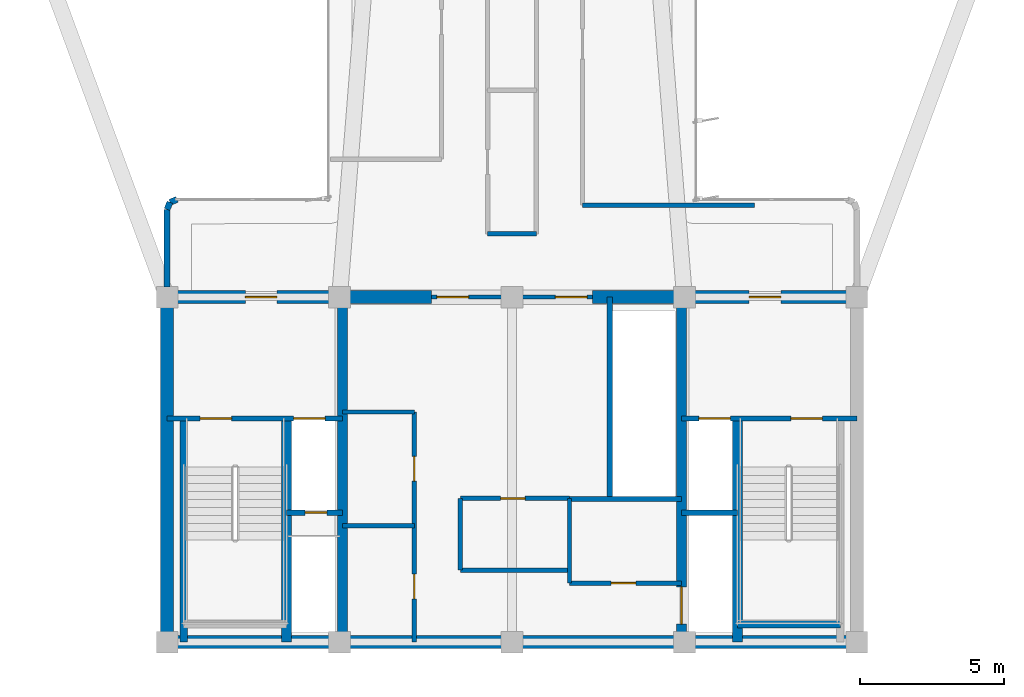
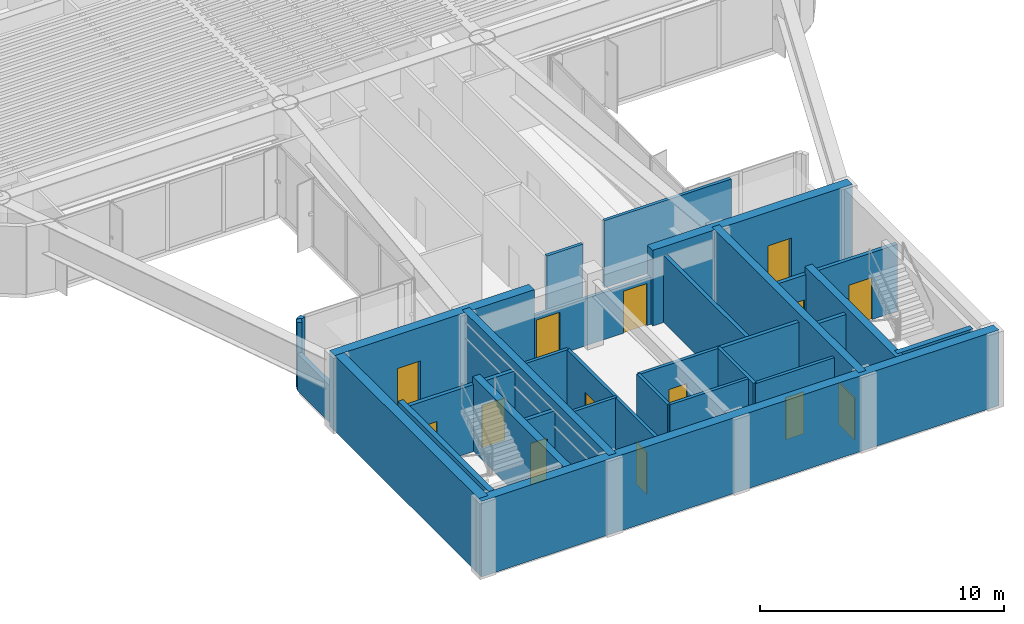
# One storey, part 8 of 13: 30 walls, 14 doors, 14 openings.
"""IFC4 building model written with IfcOpenShell, lengths in metres."""

from ifc_helpers import new_model, si_unit, direction, frame, frame_2d, origin, origin_2d, place, context, subcontext, project, spatial, rectangle, extrude, source, transform, mapped, material, layer, layer_set, type_object, element, fill, save


model = new_model("IFC4")

# Units and contexts
model_context = context("Model", 3, precision=1e-05, world=origin(), true_north=direction((0.0, 1.0)))
body_context = subcontext(model_context, "Body", "Model", "MODEL_VIEW")
ifc_project = project(units=[si_unit("LENGTHUNIT", "METRE"), si_unit("AREAUNIT", "SQUARE_METRE"), si_unit("VOLUMEUNIT", "CUBIC_METRE"), si_unit("PLANEANGLEUNIT", "RADIAN"), si_unit("MASSUNIT", "GRAM", prefix="KILO")], contexts=[model_context])

# Site, building, storey
site_placement = place(None, origin())
site = spatial("IfcSite", under=ifc_project, at=site_placement, CompositionType="ELEMENT")
building_placement = place(site_placement, origin())
building = spatial("IfcBuilding", under=site, at=building_placement, Name="Brelvock Crest Care Tower", CompositionType="ELEMENT")
storey_placement = place(building_placement, frame((0.0, 0.0, 209.340087890625)))
storey = spatial("IfcBuildingStorey", under=building, at=storey_placement, Name="L53", CompositionType="ELEMENT", Elevation=209.340087890625)

# Walls
ifc_material_1 = material(Name="Concrete S65 (65 MPa)", Category="concrete")
ifc_layer_1 = layer(ifc_material_1, 0.449951171875, Name="WL-CS3")
ifc_layer_set_1 = layer_set([ifc_layer_1], Name="Concrete S65 (65 MPa)")
wall_type_1 = type_object("IfcWallType", Name="WL-CS3", PredefinedType="SHEAR", material=ifc_layer_set_1)
wall_1_placement = place(storey_placement, frame((48.22509765625, 6.0, 0.0), z_axis=(0.0, 0.0, 1.0), x_axis=(-1.0, 0.0, 0.0)))
element("IfcWall", 1, at=wall_1_placement, inside=storey, type_object=wall_type_1, Name="L53 Core South Shear Wall", PredefinedType="SHEAR", context=body_context, shape_type="SweptSolid", body=[
    extrude(rectangle(XDim=24.4501953125, YDim=0.449951171875, at=frame_2d((12.22509765625, 0.0))), origin(), (0.0, 0.0, 1.0), 3.780029296875),
])
wall_2_placement = place(storey_placement, frame((24.0, 6.0, 0.0), z_axis=(0.0, 0.0, 1.0), x_axis=(0.0, 1.0, 0.0)))
element("IfcWall", 2, at=wall_2_placement, inside=storey, type_object=wall_type_1, Name="L53 Core West Shear Wall", PredefinedType="SHEAR", context=body_context, shape_type="SweptSolid", body=[
    extrude(rectangle(XDim=12.0, YDim=0.449951171875, at=frame_2d((6.0, 0.0))), origin(), (0.0, 0.0, 1.0), 3.780029296875),
])

# Wall, opening, door
wall_3_placement = place(storey_placement, frame((23.77490234375, 18.0, 0.0), z_axis=(0.0, 0.0, 1.0), x_axis=(1.0, 0.0, 0.0)))
wall_3 = element("IfcWall", 3, at=wall_3_placement, inside=storey, type_object=wall_type_1, Name="L53 Core North-West Shear Wall", PredefinedType="SHEAR", context=body_context, shape_type="SweptSolid", body=[
    extrude(rectangle(XDim=9.425048828125, YDim=0.449951171875, at=frame_2d((4.71240234375, 0.0))), origin(), (0.0, 0.0, 1.0), 3.780029296875),
])
opening_1_placement = place(wall_3_placement, frame((2.949951171875, 0.0, 0.0)))
opening_1 = element("IfcOpeningElement", 4, at=opening_1_placement, cuts=wall_3, Name="Opening FD-1", PredefinedType="OPENING", context=body_context, shape_type="SweptSolid", body=[
    extrude(rectangle(XDim=1.10009765625, YDim=2.10009765625, at=origin_2d()), frame((0.550048828125, 0.23486328125, 1.050048828125), z_axis=(0.0, -1.0, 0.0), x_axis=(1.0, 0.0, 0.0)), (0.0, 0.0, 1.0), 0.469970703125),
])
ifc_material_2 = material(Name="Steel Grade 350", Category="steel")
door_type_1 = type_object("IfcDoorType", Name="DR-FFL1", OperationType="NOTDEFINED", PredefinedType="DOOR", material=ifc_material_2)
shared_shape_1 = source(origin(), body_context, "Body", "SweptSolid", [
    extrude(rectangle(XDim=1.10009765625, YDim=2.10009765625, at=origin_2d()), frame((0.550048828125, 0.02490234375, 1.050048828125), z_axis=(0.0, -1.0, 0.0), x_axis=(1.0, 0.0, 0.0)), (0.0, 0.0, 1.0), 0.050048828125),
])
door_1_placement = place(opening_1_placement, origin())
door_1 = element("IfcDoor", 5, at=door_1_placement, inside=storey, type_object=door_type_1, Name="L53 Firefighting Lobby FFL-1 Exit Door", OperationType="SINGLE_SWING_LEFT", OverallHeight=2.10009765625, OverallWidth=1.10009765625, PredefinedType="DOOR", context=body_context, shape_type="MappedRepresentation", body=[
    mapped(shared_shape_1, transform((0.0, 0.0, 0.0), x_axis=(1.0, 0.0, 0.0), y_axis=(0.0, 1.0, 0.0), z_axis=(0.0, 0.0, 1.0), scale=1.0)),
])
fill(opening_1, door_1)

wall_4_placement = place(storey_placement, frame((38.800048828125, 18.0, 0.0), z_axis=(0.0, 0.0, 1.0), x_axis=(1.0, 0.0, 0.0)))
wall_4 = element("IfcWall", 6, at=wall_4_placement, inside=storey, type_object=wall_type_1, Name="L53 Core North-East Shear Wall", PredefinedType="SHEAR", context=body_context, shape_type="SweptSolid", body=[
    extrude(rectangle(XDim=9.425048828125, YDim=0.449951171875, at=frame_2d((4.71240234375, 0.0))), origin(), (0.0, 0.0, 1.0), 3.780029296875),
])
opening_2_placement = place(wall_4_placement, frame((5.449951171875, 0.0, 0.0)))
opening_2 = element("IfcOpeningElement", 7, at=opening_2_placement, cuts=wall_4, Name="Opening FD-1", PredefinedType="OPENING", context=body_context, shape_type="SweptSolid", body=[
    extrude(rectangle(XDim=1.10009765625, YDim=2.10009765625, at=origin_2d()), frame((0.550048828125, 0.23486328125, 1.050048828125), z_axis=(0.0, -1.0, 0.0), x_axis=(1.0, 0.0, 0.0)), (0.0, 0.0, 1.0), 0.469970703125),
])
door_2_placement = place(opening_2_placement, origin())
door_2 = element("IfcDoor", 8, at=door_2_placement, inside=storey, type_object=door_type_1, Name="L53 Firefighting Lobby FFL-2 Exit Door", OperationType="SINGLE_SWING_RIGHT", OverallHeight=2.10009765625, OverallWidth=1.10009765625, PredefinedType="DOOR", context=body_context, shape_type="MappedRepresentation", body=[
    mapped(shared_shape_1, transform((0.0, 0.0, 0.0), x_axis=(1.0, 0.0, 0.0), y_axis=(0.0, 1.0, 0.0), z_axis=(0.0, 0.0, 1.0), scale=1.0)),
])
fill(opening_2, door_2)

# Wall
ifc_material_3 = material(Name="Concrete S80 (80 MPa)", Category="concrete")
ifc_layer_2 = layer(ifc_material_3, 0.35009765625, Name="WL-CS5")
ifc_layer_set_2 = layer_set([ifc_layer_2], Name="Concrete S80 (80 MPa)")
wall_type_2 = type_object("IfcWallType", Name="WL-CS5", PredefinedType="SHEAR", material=ifc_layer_set_2)
wall_5_placement = place(storey_placement, frame((30.10009765625, 6.0, 0.0), z_axis=(0.0, 0.0, 1.0), x_axis=(0.0, 1.0, 0.0)))
element("IfcWall", 9, at=wall_5_placement, inside=storey, type_object=wall_type_2, Name="L53 Core Internal Web Wall West", PredefinedType="SHEAR", context=body_context, shape_type="SweptSolid", body=[
    extrude(rectangle(XDim=12.0, YDim=0.35009765625, at=frame_2d((6.0, 0.0))), origin(), (0.0, 0.0, 1.0), 3.780029296875),
])

# Wall, opening, door
wall_6_placement = place(storey_placement, frame((41.89990234375, 18.0, 0.0), z_axis=(0.0, 0.0, 1.0), x_axis=(0.0, -1.0, 0.0)))
wall_6 = element("IfcWall", 10, at=wall_6_placement, inside=storey, type_object=wall_type_2, Name="L53 Core Internal Web Wall East", PredefinedType="SHEAR", context=body_context, shape_type="SweptSolid", body=[
    extrude(rectangle(XDim=12.0, YDim=0.35009765625, at=frame_2d((6.0, 0.0))), origin(), (0.0, 0.0, 1.0), 3.780029296875),
])
opening_3_placement = place(wall_6_placement, frame((10.080078125, 0.0, 0.0)))
opening_3 = element("IfcOpeningElement", 11, at=opening_3_placement, cuts=wall_6, Name="Opening LD-S", PredefinedType="OPENING", context=body_context, shape_type="SweptSolid", body=[
    extrude(rectangle(XDim=1.300048828125, YDim=2.10009765625, at=origin_2d()), frame((0.64990234375, 0.18505859375, 1.050048828125), z_axis=(0.0, -1.0, 0.0), x_axis=(1.0, 0.0, 0.0)), (0.0, 0.0, 1.0), 0.3701171875),
])
door_type_2 = type_object("IfcDoorType", Name="DR-LDS1", OperationType="NOTDEFINED", PredefinedType="DOOR", material=ifc_material_2)
shared_shape_2 = source(origin(), body_context, "Body", "SweptSolid", [
    extrude(rectangle(XDim=1.300048828125, YDim=2.10009765625, at=origin_2d()), frame((0.64990234375, 0.02490234375, 1.050048828125), z_axis=(0.0, -1.0, 0.0), x_axis=(1.0, 0.0, 0.0)), (0.0, 0.0, 1.0), 0.050048828125),
])
door_3_placement = place(opening_3_placement, origin())
door_3 = element("IfcDoor", 12, at=door_3_placement, inside=storey, type_object=door_type_2, Name="L53 Clinical Bed Lift SL-1 Landing Door", OperationType="SLIDING_TO_LEFT", OverallHeight=2.10009765625, OverallWidth=1.300048828125, PredefinedType="DOOR", context=body_context, shape_type="MappedRepresentation", body=[
    mapped(shared_shape_2, transform((0.0, 0.0, 0.0), x_axis=(1.0, 0.0, 0.0), y_axis=(0.0, 1.0, 0.0), z_axis=(0.0, 0.0, 1.0), scale=1.0)),
])
fill(opening_3, door_3)

# Walls
for number, where, z_axis, x_axis, name in (
    (13, (28.14990234375, 6.0, 0.0), (0.0, 0.0, 1.0), (0.0, 1.0, 0.0), "L53 Core Stair ST-1 East Shear Wall"),
    (14, (43.85009765625, 6.0, 0.0), (0.0, 0.0, 1.0), (0.0, 1.0, 0.0), "L53 Core Stair ST-2 West Shear Wall"),
):
    element("IfcWall", number, at=place(storey_placement, frame(where, z_axis=z_axis, x_axis=x_axis)), inside=storey, type_object=wall_type_2, Name=name, PredefinedType="SHEAR", context=body_context, shape_type="SweptSolid", body=[
        extrude(rectangle(XDim=7.780029296875, YDim=0.35009765625, at=frame_2d((3.89013671875, 0.0))), origin(), (0.0, 0.0, 1.0), 3.69189453125),
    ])
ifc_layer_3 = layer(ifc_material_3, 0.25, Name="WL-CS6")
ifc_layer_set_3 = layer_set([ifc_layer_3], Name="Concrete S80 (80 MPa)")
wall_type_3 = type_object("IfcWallType", Name="WL-CS6", PredefinedType="SHEAR", material=ifc_layer_set_3)
wall_7_placement = place(storey_placement, frame((24.580078125, 6.0, 0.0), z_axis=(0.0, 0.0, 1.0), x_axis=(0.0, 1.0, 0.0)))
element("IfcWall", 15, at=wall_7_placement, inside=storey, type_object=wall_type_3, Name="L53 Core Stair ST-1 West Shear Wall", PredefinedType="SHEAR", context=body_context, shape_type="SweptSolid", body=[
    extrude(rectangle(XDim=7.780029296875, YDim=0.25, at=frame_2d((3.89013671875, 0.0))), origin(), (0.0, 0.0, 1.0), 3.69189453125),
])
wall_8_placement = place(storey_placement, frame((43.85009765625, 6.6201171875, 0.0), z_axis=(0.0, 0.0, 1.0), x_axis=(1.0, 0.0, 0.0)))
element("IfcWall", 16, at=wall_8_placement, inside=storey, type_object=wall_type_3, Name="L53 Core Stair ST-2 South Shear Wall", PredefinedType="SHEAR", context=body_context, shape_type="SweptSolid", body=[
    extrude(rectangle(XDim=3.56982421875, YDim=0.25, at=frame_2d((1.784912109375, 0.0))), origin(), (0.0, 0.0, 1.0), 3.69189453125),
])
ifc_material_4 = material(Name="Precast concrete N40 (40 MPa)", Category="concrete")
ifc_layer_4 = layer(ifc_material_4, 0.215087890625, Name="WL-EX2")
ifc_layer_set_4 = layer_set([ifc_layer_4], Name="Precast concrete N40 (40 MPa)")
wall_type_4 = type_object("IfcWallType", Name="WL-EX2", PredefinedType="SOLIDWALL", material=ifc_layer_set_4)
wall_9_placement = place(storey_placement, frame((24.0, 18.35498046875, 0.0), z_axis=(0.0, 0.0, 1.0), x_axis=(0.0, 1.0, 0.0)))
element("IfcWall", 17, at=wall_9_placement, inside=storey, type_object=wall_type_4, Name="L53 Rounded Corner Wall 07", PredefinedType="SOLIDWALL", context=body_context, shape_type="SweptSolid", body=[
    extrude(rectangle(XDim=2.695068359375, YDim=0.215087890625, at=frame_2d((1.34765625, 0.0))), origin(), (0.0, 0.0, 1.0), 1.85986328125),
])
wall_10_placement = place(storey_placement, frame((24.0, 21.050048828125, 0.0), z_axis=(0.0, 0.0, 1.0), x_axis=(0.382673670509, 0.923883575944, 0.0)))
element("IfcWall", 18, at=wall_10_placement, inside=storey, type_object=wall_type_4, Name="L53 Rounded Corner Wall 08", PredefinedType="SOLIDWALL", context=body_context, shape_type="SweptSolid", body=[
    extrude(rectangle(XDim=0.26806640625, YDim=0.215087890625, at=frame_2d((0.134033203125, 0.0))), origin(), (0.0, 0.0, 1.0), 3.371826171875),
])
wall_11_placement = place(storey_placement, frame((24.1025390625, 21.297607421875, 0.0), z_axis=(0.0, 0.0, 1.0), x_axis=(0.924205486139, 0.381895560841, 0.0)))
element("IfcWall", 19, at=wall_11_placement, inside=storey, type_object=wall_type_4, Name="L53 Rounded Corner Wall 09", PredefinedType="SOLIDWALL", context=body_context, shape_type="SweptSolid", body=[
    extrude(rectangle(XDim=0.267822265625, YDim=0.215087890625, at=frame_2d((0.1337890625, 0.0))), origin(), (0.0, 0.0, 1.0), 3.371826171875),
])
ifc_material_5 = material(Name="Masonry Blockwork Acoustic Partition", Category="masonry")
ifc_layer_5 = layer(ifc_material_5, 0.14990234375, Name="WL-INT1")
ifc_layer_set_5 = layer_set([ifc_layer_5], Name="Masonry Blockwork Acoustic Partition")
wall_type_5 = type_object("IfcWallType", Name="WL-INT1", PredefinedType="PARTITIONING", material=ifc_layer_set_5)
wall_12_placement = place(storey_placement, frame((30.10009765625, 14.0, 0.0), z_axis=(0.0, 0.0, 1.0), x_axis=(1.0, 0.0, 0.0)))
element("IfcWall", 20, at=wall_12_placement, inside=storey, type_object=wall_type_5, Name="L53 Interior Wall WL-CRCL-N1-L53", PredefinedType="PARTITIONING", context=body_context, shape_type="SweptSolid", body=[
    extrude(rectangle(XDim=2.5, YDim=0.14990234375, at=frame_2d((1.25, 0.0))), origin(), (0.0, 0.0, 1.0), 3.341796875),
])
wall_13_placement = place(storey_placement, frame((34.199951171875, 8.5, 0.0), z_axis=(0.0, 0.0, 1.0), x_axis=(1.0, 0.0, 0.0)))
element("IfcWall", 21, at=wall_13_placement, inside=storey, type_object=wall_type_5, Name="L53 Interior Wall WL-CRCM-SW-L53", PredefinedType="PARTITIONING", context=body_context, shape_type="SweptSolid", body=[
    extrude(rectangle(XDim=3.800048828125, YDim=0.14990234375, at=frame_2d((1.89990234375, 0.0))), origin(), (0.0, 0.0, 1.0), 3.341796875),
])

# Wall, opening, door
wall_14_placement = place(storey_placement, frame((38.0, 8.050048828125, 0.0), z_axis=(0.0, 0.0, 1.0), x_axis=(1.0, 0.0, 0.0)))
wall_14 = element("IfcWall", 22, at=wall_14_placement, inside=storey, type_object=wall_type_5, Name="L53 Interior Wall WL-CRCM-SE-L53", PredefinedType="PARTITIONING", context=body_context, shape_type="SweptSolid", body=[
    extrude(rectangle(XDim=3.89990234375, YDim=0.14990234375, at=frame_2d((1.949951171875, 0.0))), origin(), (0.0, 0.0, 1.0), 3.341796875),
])
opening_4_placement = place(wall_14_placement, frame((1.449951171875, 0.0, 0.0)))
opening_4 = element("IfcOpeningElement", 23, at=opening_4_placement, cuts=wall_14, Name="Opening ID-1", PredefinedType="OPENING", context=body_context, shape_type="SweptSolid", body=[
    extrude(rectangle(XDim=0.860107421875, YDim=2.10009765625, at=origin_2d()), frame((0.43017578125, 0.0849609375, 1.050048828125), z_axis=(0.0, -1.0, 0.0), x_axis=(1.0, 0.0, 0.0)), (0.0, 0.0, 1.0), 0.169921875),
])
ifc_material_6 = material(Name="Engineered Hardwood Timber", Category="wood")
door_type_3 = type_object("IfcDoorType", Name="DR-INT1", OperationType="NOTDEFINED", PredefinedType="DOOR", material=ifc_material_6)
shared_shape_3 = source(origin(), body_context, "Body", "SweptSolid", [
    extrude(rectangle(XDim=0.860107421875, YDim=2.10009765625, at=origin_2d()), frame((0.43017578125, 0.02490234375, 1.050048828125), z_axis=(0.0, -1.0, 0.0), x_axis=(1.0, 0.0, 0.0)), (0.0, 0.0, 1.0), 0.050048828125),
])
door_4_placement = place(opening_4_placement, origin())
door_4 = element("IfcDoor", 24, at=door_4_placement, inside=storey, type_object=door_type_3, Name="DR-CRCM2-L53", OperationType="SINGLE_SWING_LEFT", OverallHeight=2.10009765625, OverallWidth=0.860107421875, PredefinedType="DOOR", context=body_context, shape_type="MappedRepresentation", body=[
    mapped(shared_shape_3, transform((0.0, 0.0, 0.0), x_axis=(1.0, 0.0, 0.0), y_axis=(0.0, 1.0, 0.0), z_axis=(0.0, 0.0, 1.0), scale=1.0)),
])
fill(opening_4, door_4)

# Walls
wall_15_placement = place(storey_placement, frame((34.199951171875, 8.5, 0.0), z_axis=(0.0, 0.0, 1.0), x_axis=(0.0, 1.0, 0.0)))
element("IfcWall", 25, at=wall_15_placement, inside=storey, type_object=wall_type_5, Name="L53 Interior Wall WL-CRCM-W-L53", PredefinedType="PARTITIONING", context=body_context, shape_type="SweptSolid", body=[
    extrude(rectangle(XDim=2.5, YDim=0.14990234375, at=frame_2d((1.25, 0.0))), origin(), (0.0, 0.0, 1.0), 3.341796875),
])
wall_16_placement = place(storey_placement, frame((38.0, 8.050048828125, 0.0), z_axis=(0.0, 0.0, 1.0), x_axis=(0.0, 1.0, 0.0)))
element("IfcWall", 26, at=wall_16_placement, inside=storey, type_object=wall_type_5, Name="L53 Interior Wall WL-CRCM-V-L53", PredefinedType="PARTITIONING", context=body_context, shape_type="SweptSolid", body=[
    extrude(rectangle(XDim=2.949951171875, YDim=0.14990234375, at=frame_2d((1.47509765625, 0.0))), origin(), (0.0, 0.0, 1.0), 3.341796875),
])

# Wall, opening, door
wall_17_placement = place(storey_placement, frame((34.199951171875, 11.0, 0.0), z_axis=(0.0, 0.0, 1.0), x_axis=(1.0, 0.0, 0.0)))
wall_17 = element("IfcWall", 27, at=wall_17_placement, inside=storey, type_object=wall_type_5, Name="L53 Interior Wall WL-CRCM-NW-L53", PredefinedType="PARTITIONING", context=body_context, shape_type="SweptSolid", body=[
    extrude(rectangle(XDim=3.800048828125, YDim=0.14990234375, at=frame_2d((1.89990234375, 0.0))), origin(), (0.0, 0.0, 1.0), 3.341796875),
])
opening_5_placement = place(wall_17_placement, frame((1.39990234375, 0.0, 0.0)))
opening_5 = element("IfcOpeningElement", 28, at=opening_5_placement, cuts=wall_17, Name="Opening ID-1", PredefinedType="OPENING", context=body_context, shape_type="SweptSolid", body=[
    extrude(rectangle(XDim=0.860107421875, YDim=2.10009765625, at=origin_2d()), frame((0.43017578125, 0.0849609375, 1.050048828125), z_axis=(0.0, -1.0, 0.0), x_axis=(1.0, 0.0, 0.0)), (0.0, 0.0, 1.0), 0.169921875),
])
door_5_placement = place(opening_5_placement, origin())
door_5 = element("IfcDoor", 29, at=door_5_placement, inside=storey, type_object=door_type_3, Name="DR-CRCM1-L53", OperationType="SINGLE_SWING_LEFT", OverallHeight=2.10009765625, OverallWidth=0.860107421875, PredefinedType="DOOR", context=body_context, shape_type="MappedRepresentation", body=[
    mapped(shared_shape_3, transform((0.0, 0.0, 0.0), x_axis=(1.0, 0.0, 0.0), y_axis=(0.0, 1.0, 0.0), z_axis=(0.0, 0.0, 1.0), scale=1.0)),
])
fill(opening_5, door_5)

# Wall
wall_18_placement = place(storey_placement, frame((30.10009765625, 10.050048828125, 0.0), z_axis=(0.0, 0.0, 1.0), x_axis=(1.0, 0.0, 0.0)))
element("IfcWall", 30, at=wall_18_placement, inside=storey, type_object=wall_type_5, Name="L53 Interior Wall WL-CSBW-S1-L53", PredefinedType="PARTITIONING", context=body_context, shape_type="SweptSolid", body=[
    extrude(rectangle(XDim=2.5, YDim=0.14990234375, at=frame_2d((1.25, 0.0))), origin(), (0.0, 0.0, 1.0), 3.341796875),
])

# Wall, openings, doors
wall_19_placement = place(storey_placement, frame((32.60009765625, 6.0, 0.0), z_axis=(0.0, 0.0, 1.0), x_axis=(0.0, 1.0, 0.0)))
wall_19 = element("IfcWall", 31, at=wall_19_placement, inside=storey, type_object=wall_type_5, Name="L53 Interior Wall WL-CRCL-E-L53", PredefinedType="PARTITIONING", context=body_context, shape_type="SweptSolid", body=[
    extrude(rectangle(XDim=8.0, YDim=0.14990234375, at=frame_2d((4.0, 0.0))), origin(), (0.0, 0.0, 1.0), 3.341796875),
])
opening_6_placement = place(wall_19_placement, frame((1.5, 0.0, 0.0)))
opening_6 = element("IfcOpeningElement", 32, at=opening_6_placement, cuts=wall_19, Name="Opening ID-1", PredefinedType="OPENING", context=body_context, shape_type="SweptSolid", body=[
    extrude(rectangle(XDim=0.860107421875, YDim=2.10009765625, at=origin_2d()), frame((0.43017578125, 0.0849609375, 1.050048828125), z_axis=(0.0, -1.0, 0.0), x_axis=(1.0, 0.0, 0.0)), (0.0, 0.0, 1.0), 0.169921875),
])
opening_7_placement = place(wall_19_placement, frame((5.60009765625, 0.0, 0.0)))
opening_7 = element("IfcOpeningElement", 33, at=opening_7_placement, cuts=wall_19, Name="Opening ID-1", PredefinedType="OPENING", context=body_context, shape_type="SweptSolid", body=[
    extrude(rectangle(XDim=0.860107421875, YDim=2.10009765625, at=origin_2d()), frame((0.43017578125, 0.0849609375, 1.050048828125), z_axis=(0.0, -1.0, 0.0), x_axis=(1.0, 0.0, 0.0)), (0.0, 0.0, 1.0), 0.169921875),
])
door_6_placement = place(opening_6_placement, origin())
door_6 = element("IfcDoor", 34, at=door_6_placement, inside=storey, type_object=door_type_3, Name="DR-CSBW-L53", OperationType="SINGLE_SWING_LEFT", OverallHeight=2.10009765625, OverallWidth=0.860107421875, PredefinedType="DOOR", context=body_context, shape_type="MappedRepresentation", body=[
    mapped(shared_shape_3, transform((0.0, 0.0, 0.0), x_axis=(1.0, 0.0, 0.0), y_axis=(0.0, 1.0, 0.0), z_axis=(0.0, 0.0, 1.0), scale=1.0)),
])
fill(opening_6, door_6)
door_7_placement = place(opening_7_placement, origin())
door_7 = element("IfcDoor", 35, at=door_7_placement, inside=storey, type_object=door_type_3, Name="DR-CRCL1-L53", OperationType="SINGLE_SWING_LEFT", OverallHeight=2.10009765625, OverallWidth=0.860107421875, PredefinedType="DOOR", context=body_context, shape_type="MappedRepresentation", body=[
    mapped(shared_shape_3, transform((0.0, 0.0, 0.0), x_axis=(1.0, 0.0, 0.0), y_axis=(0.0, 1.0, 0.0), z_axis=(0.0, 0.0, 1.0), scale=1.0)),
])
fill(opening_7, door_7)

wall_20_placement = place(storey_placement, frame((33.199951171875, 18.0, 0.0), z_axis=(0.0, 0.0, 1.0), x_axis=(1.0, 0.0, 0.0)))
wall_20 = element("IfcWall", 36, at=wall_20_placement, inside=storey, type_object=wall_type_5, Name="L53 Interior Wall WL-CORE-NPORT-L53", PredefinedType="PARTITIONING", context=body_context, shape_type="SweptSolid", body=[
    extrude(rectangle(XDim=5.60009765625, YDim=0.14990234375, at=frame_2d((2.800048828125, 0.0))), origin(), (0.0, 0.0, 1.0), 2.35693359375),
])
opening_8_placement = place(wall_20_placement, frame((0.18994140625, 0.0, 0.0)))
opening_8 = element("IfcOpeningElement", 37, at=opening_8_placement, cuts=wall_20, Name="Opening FD-1", PredefinedType="OPENING", context=body_context, shape_type="SweptSolid", body=[
    extrude(rectangle(XDim=1.10009765625, YDim=2.10009765625, at=origin_2d()), frame((0.550048828125, 0.0849609375, 1.050048828125), z_axis=(0.0, -1.0, 0.0), x_axis=(1.0, 0.0, 0.0)), (0.0, 0.0, 1.0), 0.169921875),
])
opening_9_placement = place(wall_20_placement, frame((4.31005859375, 0.0, 0.0)))
opening_9 = element("IfcOpeningElement", 38, at=opening_9_placement, cuts=wall_20, Name="Opening FD-1", PredefinedType="OPENING", context=body_context, shape_type="SweptSolid", body=[
    extrude(rectangle(XDim=1.10009765625, YDim=2.10009765625, at=origin_2d()), frame((0.550048828125, 0.0849609375, 1.050048828125), z_axis=(0.0, -1.0, 0.0), x_axis=(1.0, 0.0, 0.0)), (0.0, 0.0, 1.0), 0.169921875),
])
door_8_placement = place(opening_8_placement, origin())
door_8 = element("IfcDoor", 39, at=door_8_placement, inside=storey, type_object=door_type_1, Name="L53 Lift Lobby North Smoke Door West", OperationType="SINGLE_SWING_LEFT", OverallHeight=2.10009765625, OverallWidth=1.10009765625, PredefinedType="DOOR", context=body_context, shape_type="MappedRepresentation", body=[
    mapped(shared_shape_1, transform((0.0, 0.0, 0.0), x_axis=(1.0, 0.0, 0.0), y_axis=(0.0, 1.0, 0.0), z_axis=(0.0, 0.0, 1.0), scale=1.0)),
])
fill(opening_8, door_8)
door_9_placement = place(opening_9_placement, origin())
door_9 = element("IfcDoor", 40, at=door_9_placement, inside=storey, type_object=door_type_1, Name="L53 Lift Lobby North Smoke Door East", OperationType="SINGLE_SWING_RIGHT", OverallHeight=2.10009765625, OverallWidth=1.10009765625, PredefinedType="DOOR", context=body_context, shape_type="MappedRepresentation", body=[
    mapped(shared_shape_1, transform((0.0, 0.0, 0.0), x_axis=(1.0, 0.0, 0.0), y_axis=(0.0, 1.0, 0.0), z_axis=(0.0, 0.0, 1.0), scale=1.0)),
])
fill(opening_9, door_9)

# Walls
wall_21_placement = place(storey_placement, frame((38.449951171875, 21.199951171875, 0.0), z_axis=(0.0, 0.0, 1.0), x_axis=(1.0, 0.0, 0.0)))
element("IfcWall", 41, at=wall_21_placement, inside=storey, type_object=wall_type_5, Name="L53 Interior Wall WL-BX-L53-THRE-S", PredefinedType="PARTITIONING", context=body_context, shape_type="SweptSolid", body=[
    extrude(rectangle(XDim=5.99267578125, YDim=0.14990234375, at=frame_2d((2.996337890625, 0.0))), origin(), (0.0, 0.0, 1.0), 3.341796875),
])
ifc_material_7 = material(Name="Gypsum Plasterboard Partition", Category="gypsum")
ifc_layer_6 = layer(ifc_material_7, 0.159912109375, Name="WL-PLM1")
ifc_layer_set_6 = layer_set([ifc_layer_6], Name="Gypsum Plasterboard Partition")
wall_type_6 = type_object("IfcWallType", Name="WL-PLM1", PredefinedType="PLUMBINGWALL", material=ifc_layer_set_6)
wall_22_placement = place(storey_placement, frame((35.14990234375, 20.199951171875, 0.0), z_axis=(0.0, 0.0, 1.0), x_axis=(1.0, 0.0, 0.0)))
element("IfcWall", 42, at=wall_22_placement, inside=storey, type_object=wall_type_6, Name="L53 Interior Wall WL-BX-L53-ISWC-S", PredefinedType="PLUMBINGWALL", context=body_context, shape_type="SweptSolid", body=[
    extrude(rectangle(XDim=1.7001953125, YDim=0.159912109375, at=frame_2d((0.85009765625, 0.0))), origin(), (0.0, 0.0, 1.0), 3.341796875),
])
ifc_layer_7 = layer(ifc_material_5, 0.179931640625, Name="WL-SHF1")
ifc_layer_set_7 = layer_set([ifc_layer_7], Name="Masonry Blockwork Acoustic Partition")
wall_type_7 = type_object("IfcWallType", Name="WL-SHF1", PredefinedType="PARTITIONING", material=ifc_layer_set_7)
wall_23_placement = place(storey_placement, frame((38.0, 10.97998046875, 0.0), z_axis=(0.0, 0.0, 1.0), x_axis=(1.0, 0.0, 0.0)))
element("IfcWall", 43, at=wall_23_placement, inside=storey, type_object=wall_type_7, Name="L53 Interior Wall WL-CRCM-NE-L53", PredefinedType="PARTITIONING", context=body_context, shape_type="SweptSolid", body=[
    extrude(rectangle(XDim=3.89990234375, YDim=0.179931640625, at=frame_2d((1.949951171875, 0.0))), origin(), (0.0, 0.0, 1.0), 3.341796875),
])
wall_24_placement = place(storey_placement, frame((39.39990234375, 11.0, 0.0), z_axis=(0.0, 0.0, 1.0), x_axis=(0.0, 1.0, 0.0)))
element("IfcWall", 44, at=wall_24_placement, inside=storey, type_object=wall_type_7, Name="L53 Interior Wall WL-PLH-SHF-L53", PredefinedType="PARTITIONING", context=body_context, shape_type="SweptSolid", body=[
    extrude(rectangle(XDim=7.0, YDim=0.179931640625, at=frame_2d((3.5, 0.0))), origin(), (0.0, 0.0, 1.0), 3.341796875),
])

# Wall, openings, doors
wall_25_placement = place(storey_placement, frame((24.0, 13.780029296875, 0.0), z_axis=(0.0, 0.0, 1.0), x_axis=(1.0, 0.0, 0.0)))
wall_25 = element("IfcWall", 45, at=wall_25_placement, inside=storey, type_object=wall_type_7, Name="L53 Interior Wall WL-ST1-N-L53", PredefinedType="PARTITIONING", context=body_context, shape_type="SweptSolid", body=[
    extrude(rectangle(XDim=6.10009765625, YDim=0.179931640625, at=frame_2d((3.050048828125, 0.0))), origin(), (0.0, 0.0, 1.0), 3.341796875),
])
opening_10_placement = place(wall_25_placement, frame((1.14990234375, 0.0, 0.0)))
opening_10 = element("IfcOpeningElement", 46, at=opening_10_placement, cuts=wall_25, Name="Opening SD-1", PredefinedType="OPENING", context=body_context, shape_type="SweptSolid", body=[
    extrude(rectangle(XDim=1.10009765625, YDim=2.10009765625, at=origin_2d()), frame((0.550048828125, 0.10009765625, 1.050048828125), z_axis=(0.0, -1.0, 0.0), x_axis=(1.0, 0.0, 0.0)), (0.0, 0.0, 1.0), 0.199951171875),
])
opening_11_placement = place(wall_25_placement, frame((4.39990234375, 0.0, 0.0)))
opening_11 = element("IfcOpeningElement", 47, at=opening_11_placement, cuts=wall_25, Name="Opening LD", PredefinedType="OPENING", context=body_context, shape_type="SweptSolid", body=[
    extrude(rectangle(XDim=1.10009765625, YDim=2.10009765625, at=origin_2d()), frame((0.550048828125, 0.10009765625, 1.050048828125), z_axis=(0.0, -1.0, 0.0), x_axis=(1.0, 0.0, 0.0)), (0.0, 0.0, 1.0), 0.199951171875),
])
door_type_4 = type_object("IfcDoorType", Name="DR-ST1", OperationType="NOTDEFINED", PredefinedType="DOOR", material=ifc_material_2)
shared_shape_4 = source(origin(), body_context, "Body", "SweptSolid", [
    extrude(rectangle(XDim=1.10009765625, YDim=2.10009765625, at=origin_2d()), frame((0.550048828125, 0.02490234375, 1.050048828125), z_axis=(0.0, -1.0, 0.0), x_axis=(1.0, 0.0, 0.0)), (0.0, 0.0, 1.0), 0.050048828125),
])
door_10_placement = place(opening_10_placement, origin())
door_10 = element("IfcDoor", 48, at=door_10_placement, inside=storey, type_object=door_type_4, Name="L53 Fire Stair ST-1 Door", OperationType="SINGLE_SWING_LEFT", OverallHeight=2.10009765625, OverallWidth=1.10009765625, PredefinedType="DOOR", context=body_context, shape_type="MappedRepresentation", body=[
    mapped(shared_shape_4, transform((0.0, 0.0, 0.0), x_axis=(1.0, 0.0, 0.0), y_axis=(0.0, 1.0, 0.0), z_axis=(0.0, 0.0, 1.0), scale=1.0)),
])
fill(opening_10, door_10)
door_type_5 = type_object("IfcDoorType", Name="DR-LD1", OperationType="NOTDEFINED", PredefinedType="DOOR", material=ifc_material_2)
shared_shape_5 = source(origin(), body_context, "Body", "SweptSolid", [
    extrude(rectangle(XDim=1.10009765625, YDim=2.10009765625, at=origin_2d()), frame((0.550048828125, 0.02490234375, 1.050048828125), z_axis=(0.0, -1.0, 0.0), x_axis=(1.0, 0.0, 0.0)), (0.0, 0.0, 1.0), 0.050048828125),
])
door_11_placement = place(opening_11_placement, origin())
door_11 = element("IfcDoor", 49, at=door_11_placement, inside=storey, type_object=door_type_5, Name="L53 Firefighting Lift FFL-1 Landing Door", OperationType="SLIDING_TO_LEFT", OverallHeight=2.10009765625, OverallWidth=1.10009765625, PredefinedType="DOOR", context=body_context, shape_type="MappedRepresentation", body=[
    mapped(shared_shape_5, transform((0.0, 0.0, 0.0), x_axis=(1.0, 0.0, 0.0), y_axis=(0.0, 1.0, 0.0), z_axis=(0.0, 0.0, 1.0), scale=1.0)),
])
fill(opening_11, door_11)

# Wall, opening, door
wall_26_placement = place(storey_placement, frame((28.14990234375, 10.5, 0.0), z_axis=(0.0, 0.0, 1.0), x_axis=(1.0, 0.0, 0.0)))
wall_26 = element("IfcWall", 50, at=wall_26_placement, inside=storey, type_object=wall_type_7, Name="L53 Interior Wall WL-FFH1-S-L53", PredefinedType="PARTITIONING", context=body_context, shape_type="SweptSolid", body=[
    extrude(rectangle(XDim=1.9501953125, YDim=0.179931640625, at=frame_2d((0.97509765625, 0.0))), origin(), (0.0, 0.0, 1.0), 3.341796875),
])
opening_12_placement = place(wall_26_placement, frame((0.64990234375, 0.0, 0.0)))
opening_12 = element("IfcOpeningElement", 51, at=opening_12_placement, cuts=wall_26, Name="Opening RD-1", PredefinedType="OPENING", context=body_context, shape_type="SweptSolid", body=[
    extrude(rectangle(XDim=0.760009765625, YDim=2.050048828125, at=origin_2d()), frame((0.3798828125, 0.10009765625, 1.02490234375), z_axis=(0.0, -1.0, 0.0), x_axis=(1.0, 0.0, 0.0)), (0.0, 0.0, 1.0), 0.199951171875),
])
door_type_6 = type_object("IfcDoorType", Name="DR-RIS1", OperationType="NOTDEFINED", PredefinedType="DOOR", material=ifc_material_2)
shared_shape_6 = source(origin(), body_context, "Body", "SweptSolid", [
    extrude(rectangle(XDim=0.760009765625, YDim=2.050048828125, at=origin_2d()), frame((0.3798828125, 0.02490234375, 1.02490234375), z_axis=(0.0, -1.0, 0.0), x_axis=(1.0, 0.0, 0.0)), (0.0, 0.0, 1.0), 0.050048828125),
])
door_12_placement = place(opening_12_placement, origin())
door_12 = element("IfcDoor", 52, at=door_12_placement, inside=storey, type_object=door_type_6, Name="L53 Wet Fire Riser Access Door", OperationType="SINGLE_SWING_LEFT", OverallHeight=2.050048828125, OverallWidth=0.760009765625, PredefinedType="DOOR", context=body_context, shape_type="MappedRepresentation", body=[
    mapped(shared_shape_6, transform((0.0, 0.0, 0.0), x_axis=(1.0, 0.0, 0.0), y_axis=(0.0, 1.0, 0.0), z_axis=(0.0, 0.0, 1.0), scale=1.0)),
])
fill(opening_12, door_12)

# Wall, openings, doors
wall_27_placement = place(storey_placement, frame((41.89990234375, 13.780029296875, 0.0), z_axis=(0.0, 0.0, 1.0), x_axis=(1.0, 0.0, 0.0)))
wall_27 = element("IfcWall", 53, at=wall_27_placement, inside=storey, type_object=wall_type_7, Name="L53 Interior Wall WL-ST2-N-L53", PredefinedType="PARTITIONING", context=body_context, shape_type="SweptSolid", body=[
    extrude(rectangle(XDim=6.10009765625, YDim=0.179931640625, at=frame_2d((3.050048828125, 0.0))), origin(), (0.0, 0.0, 1.0), 3.341796875),
])
opening_13_placement = place(wall_27_placement, frame((0.60009765625, 0.0, 0.0)))
opening_13 = element("IfcOpeningElement", 54, at=opening_13_placement, cuts=wall_27, Name="Opening LD", PredefinedType="OPENING", context=body_context, shape_type="SweptSolid", body=[
    extrude(rectangle(XDim=1.10009765625, YDim=2.10009765625, at=origin_2d()), frame((0.550048828125, 0.10009765625, 1.050048828125), z_axis=(0.0, -1.0, 0.0), x_axis=(1.0, 0.0, 0.0)), (0.0, 0.0, 1.0), 0.199951171875),
])
opening_14_placement = place(wall_27_placement, frame((3.800048828125, 0.0, 0.0)))
opening_14 = element("IfcOpeningElement", 55, at=opening_14_placement, cuts=wall_27, Name="Opening SD-1", PredefinedType="OPENING", context=body_context, shape_type="SweptSolid", body=[
    extrude(rectangle(XDim=1.10009765625, YDim=2.10009765625, at=origin_2d()), frame((0.550048828125, 0.10009765625, 1.050048828125), z_axis=(0.0, -1.0, 0.0), x_axis=(1.0, 0.0, 0.0)), (0.0, 0.0, 1.0), 0.199951171875),
])
door_13_placement = place(opening_14_placement, origin())
door_13 = element("IfcDoor", 56, at=door_13_placement, inside=storey, type_object=door_type_4, Name="L53 Fire Stair ST-2 Door", OperationType="SINGLE_SWING_RIGHT", OverallHeight=2.10009765625, OverallWidth=1.10009765625, PredefinedType="DOOR", context=body_context, shape_type="MappedRepresentation", body=[
    mapped(shared_shape_4, transform((0.0, 0.0, 0.0), x_axis=(1.0, 0.0, 0.0), y_axis=(0.0, 1.0, 0.0), z_axis=(0.0, 0.0, 1.0), scale=1.0)),
])
fill(opening_14, door_13)
door_14_placement = place(opening_13_placement, origin())
door_14 = element("IfcDoor", 57, at=door_14_placement, inside=storey, type_object=door_type_5, Name="L53 Firefighting Lift FFL-2 Landing Door", OperationType="SLIDING_TO_RIGHT", OverallHeight=2.10009765625, OverallWidth=1.10009765625, PredefinedType="DOOR", context=body_context, shape_type="MappedRepresentation", body=[
    mapped(shared_shape_5, transform((0.0, 0.0, 0.0), x_axis=(1.0, 0.0, 0.0), y_axis=(0.0, 1.0, 0.0), z_axis=(0.0, 0.0, 1.0), scale=1.0)),
])
fill(opening_13, door_14)

# Wall
wall_28_placement = place(storey_placement, frame((41.89990234375, 10.5, 0.0), z_axis=(0.0, 0.0, 1.0), x_axis=(1.0, 0.0, 0.0)))
element("IfcWall", 58, at=wall_28_placement, inside=storey, type_object=wall_type_7, Name="L53 Interior Wall WL-FFH2-S-L53", PredefinedType="PARTITIONING", context=body_context, shape_type="SweptSolid", body=[
    extrude(rectangle(XDim=1.9501953125, YDim=0.179931640625, at=frame_2d((0.97509765625, 0.0))), origin(), (0.0, 0.0, 1.0), 3.341796875),
])

save(model, "model.ifc")
